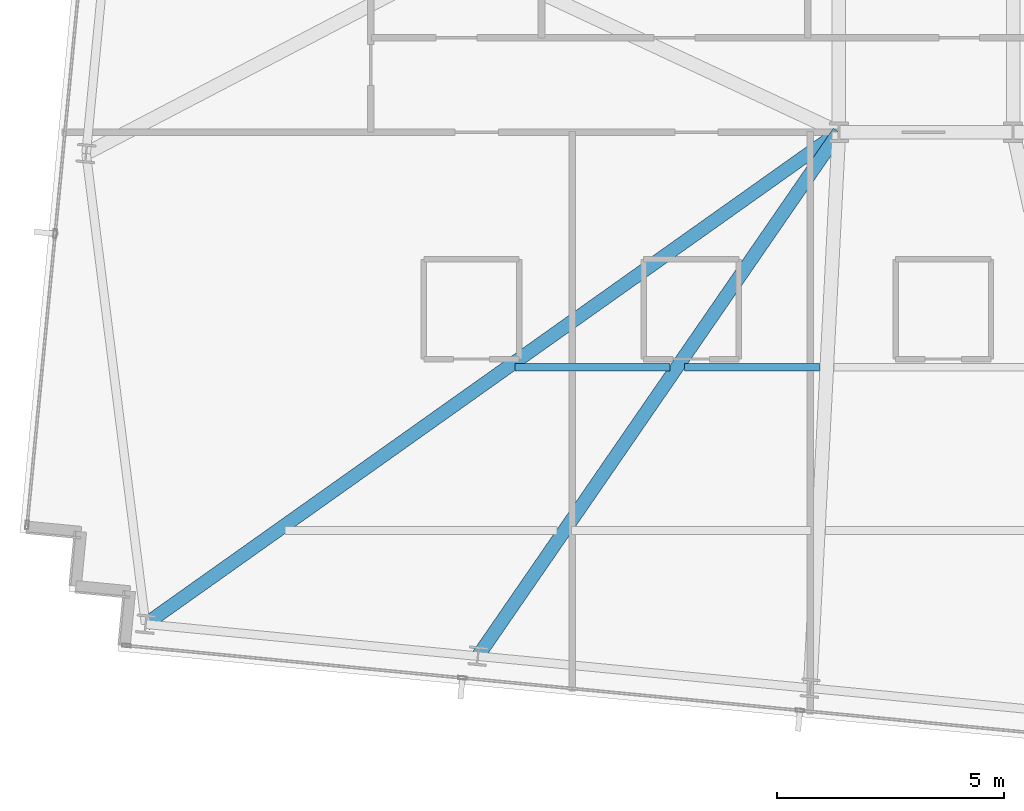
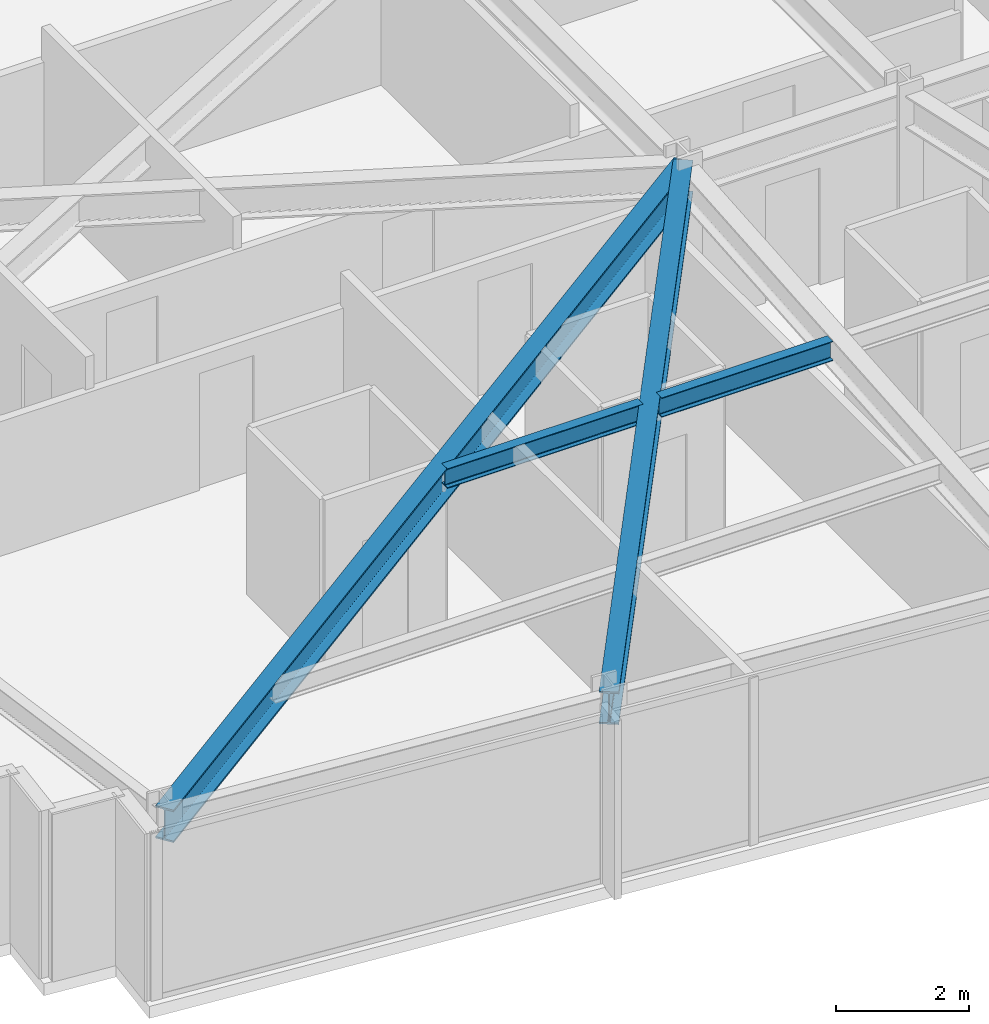
# One storey, part 5 of 37: 4 beams.
"""IFC4 building model written with IfcOpenShell, lengths in metres."""

from ifc_helpers import new_model, si_unit, direction, frame, origin, origin_2d, place, context, subcontext, project, spatial, i_section, extrude, material, material_profile, profile_set, type_object, element, save


model = new_model("IFC4")

# Units and contexts
model_context = context("Model", 3, precision=1e-05, world=origin(), true_north=direction((0.0, 1.0)))
body_context = subcontext(model_context, "Body", "Model", "MODEL_VIEW")
ifc_project = project(units=[si_unit("LENGTHUNIT", "METRE"), si_unit("AREAUNIT", "SQUARE_METRE"), si_unit("VOLUMEUNIT", "CUBIC_METRE"), si_unit("PLANEANGLEUNIT", "RADIAN"), si_unit("MASSUNIT", "GRAM", prefix="KILO")], contexts=[model_context])

# Site, building, storey
site_placement = place(None, origin())
site = spatial("IfcSite", under=ifc_project, at=site_placement, CompositionType="ELEMENT")
building_placement = place(site_placement, origin())
building = spatial("IfcBuilding", under=site, at=building_placement, Name="Yelkora Congress Tower", CompositionType="ELEMENT")
storey_placement = place(building_placement, frame((0.0, 0.0, 158.89990234375)))
storey = spatial("IfcBuildingStorey", under=building, at=storey_placement, Name="L43", CompositionType="ELEMENT", Elevation=158.89990234375)

# Beams
ifc_material = material(Name="Steel S355J2", Category="steel")
ifc_material_profile_1 = material_profile(ifc_material, i_section(OverallWidth=0.300048828125, OverallDepth=0.60009765625, WebThickness=0.015380859375, FlangeThickness=0.030029296875, FilletRadius=0.027099609375, at=origin_2d()), Name="HEB 600")
ifc_profile_set_1 = profile_set([ifc_material_profile_1], Name="Steel S355J2")
beam_type_1 = type_object("IfcBeamType", Name="BM-GIRD-HEB600", PredefinedType="BEAM", material=ifc_profile_set_1)
beam_1_placement = place(storey_placement, frame((3.919189453125, 14.357421875, 2.780029296875), z_axis=(0.815554555366, 0.578680194254, 0.0), x_axis=(-0.578680194254, 0.815554555366, 0.0)))
element("IfcBeam", 1, at=beam_1_placement, inside=storey, type_object=beam_type_1, Name="L43 Primary Frame Girder S01", PredefinedType="BEAM", context=body_context, shape_type="SweptSolid", body=[
    extrude(i_section(OverallWidth=0.300048828125, OverallDepth=0.60009765625, WebThickness=0.015380859375, FlangeThickness=0.030029296875, FilletRadius=0.027099609375, at=origin_2d()), origin(), (0.0, 0.0, 1.0), 18.736572265625),
])
beam_2_placement = place(storey_placement, frame((11.242431640625, 13.652099609375, 2.780029296875), z_axis=(0.567418043278, 0.823429878109, 0.0), x_axis=(-0.823429878109, 0.567418043278, 0.0)))
element("IfcBeam", 2, at=beam_2_placement, inside=storey, type_object=beam_type_1, Name="L43 Primary Frame Girder S02", PredefinedType="BEAM", context=body_context, shape_type="SweptSolid", body=[
    extrude(i_section(OverallWidth=0.300048828125, OverallDepth=0.60009765625, WebThickness=0.015380859375, FlangeThickness=0.030029296875, FilletRadius=0.027099609375, at=origin_2d()), origin(), (0.0, 0.0, 1.0), 14.024169921875),
])
ifc_material_profile_2 = material_profile(ifc_material, i_section(OverallWidth=0.169921875, OverallDepth=0.360107421875, WebThickness=0.008056640625, FlangeThickness=0.0126953125, FilletRadius=0.01806640625, at=origin_2d()), Name="IPE 360")
ifc_profile_set_2 = profile_set([ifc_material_profile_2], Name="Steel S355J2")
beam_type_2 = type_object("IfcBeamType", Name="BM-JOIST-IPE360", PredefinedType="JOIST", material=ifc_profile_set_2)
beam_3_placement = place(storey_placement, frame((12.061279296875, 20.021240234375, 2.900146484375), z_axis=(1.0, 0.0, 0.0), x_axis=(0.0, 1.0, 0.0)))
element("IfcBeam", 3, at=beam_3_placement, inside=storey, type_object=beam_type_2, Name="L43 Composite Floor Joist 12", PredefinedType="JOIST", context=body_context, shape_type="SweptSolid", body=[
    extrude(i_section(OverallWidth=0.169921875, OverallDepth=0.360107421875, WebThickness=0.008056640625, FlangeThickness=0.0126953125, FilletRadius=0.01806640625, at=origin_2d()), origin(), (0.0, 0.0, 1.0), 3.409912109375),
])
beam_4_placement = place(storey_placement, frame((15.791259765625, 20.021240234375, 2.900146484375), z_axis=(1.0, 0.0, 0.0), x_axis=(0.0, 1.0, 0.0)))
element("IfcBeam", 4, at=beam_4_placement, inside=storey, type_object=beam_type_2, Name="L43 Composite Floor Joist 13", PredefinedType="JOIST", context=body_context, shape_type="SweptSolid", body=[
    extrude(i_section(OverallWidth=0.169921875, OverallDepth=0.360107421875, WebThickness=0.008056640625, FlangeThickness=0.0126953125, FilletRadius=0.01806640625, at=origin_2d()), origin(), (0.0, 0.0, 1.0), 2.980712890625),
])

save(model, "model.ifc")
